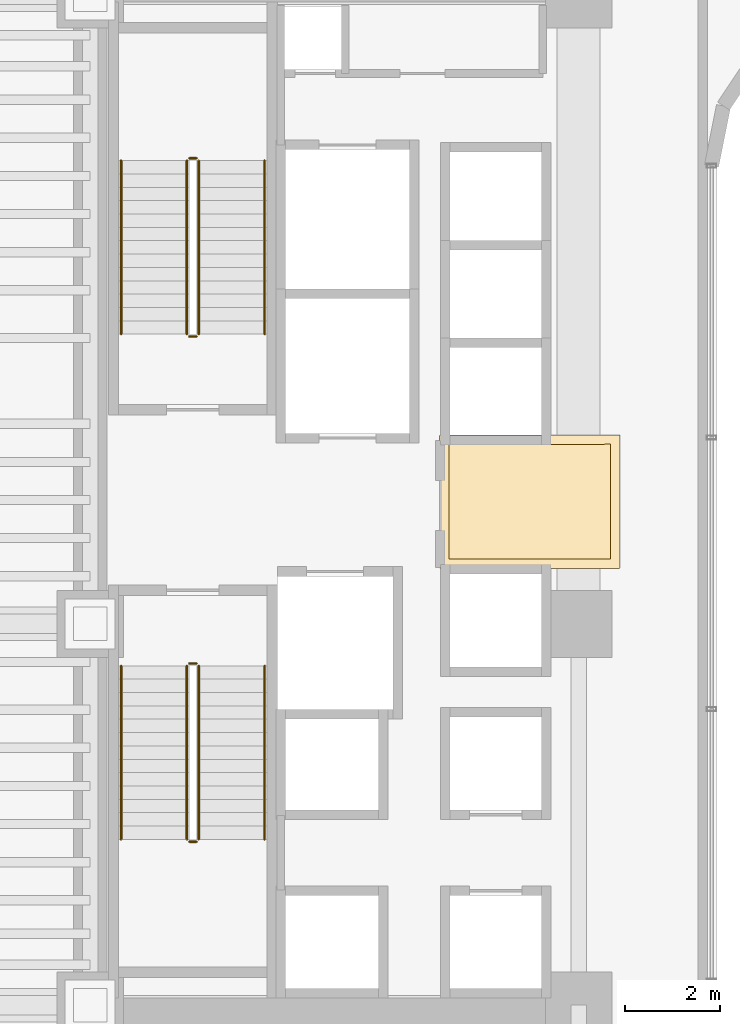
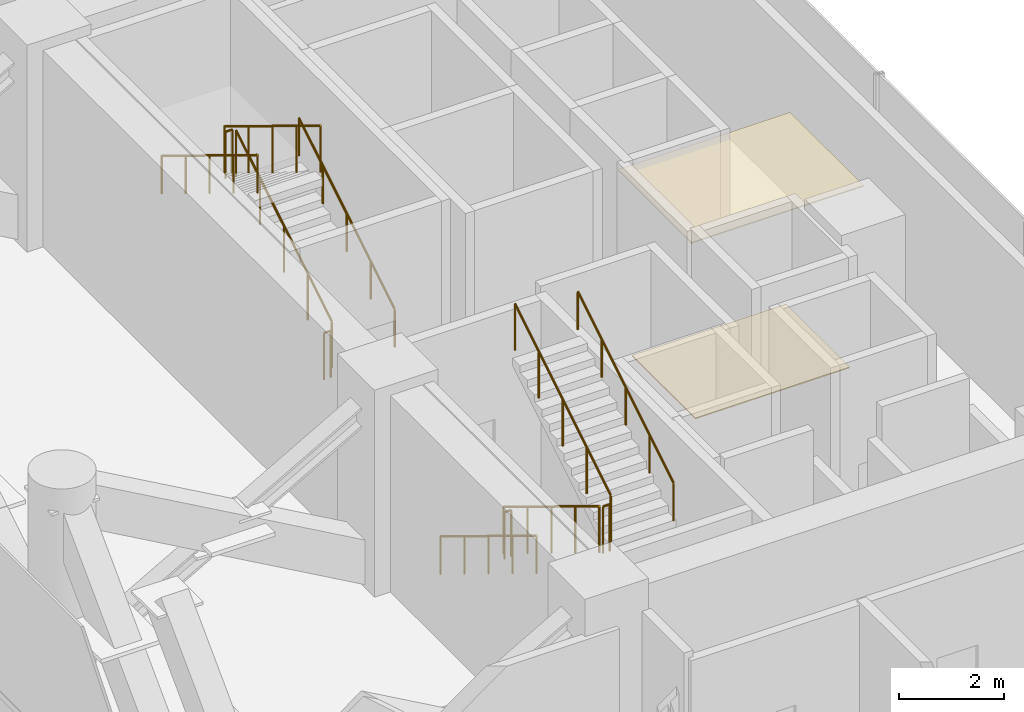
# One storey, part 37 of 39: 12 railings, 2 coverings.
"""IFC4 building model written with IfcOpenShell, lengths in metres."""

import ifcopenshell
import ifcopenshell.guid

model = None  # the IFC model being written
_history = None  # IfcOwnerHistory: only IFC2X3 demands one
_inside = {}  # id of a spatial element -> (the spatial element, [elements in it])
_under = {}  # id of a project, library or spatial element -> (it, [spatial elements below it])
_declared = {}  # id of a project -> (the project, [libraries it declares])
_typed = {}  # id of a type object -> (the type object, [elements of that type])
_made_of = {}  # id of a material, layer set ... -> (it, [elements and type objects made of it])


def new_model(schema):
    """Start an empty IFC model of exactly this schema.

    Asked for "IFC4X3", IfcOpenShell would pick the latest addendum, in which some entities
    have other attributes; the version numbers below select the first issue.
    IFC2X3 requires an IfcOwnerHistory on every rooted entity: one is made here for all.
    """
    global model, _history
    if schema == "IFC4X3":
        model = ifcopenshell.file(schema_version=(4, 3, 0, 0))
    else:
        model = ifcopenshell.file(schema=schema)
    _inside.clear()
    _under.clear()
    _declared.clear()
    _typed.clear()
    _made_of.clear()
    _history = None
    if model.schema == "IFC2X3":
        org = make("IfcOrganization", Name="unknown")
        user = make(
            "IfcPersonAndOrganization",
            ThePerson=make("IfcPerson", FamilyName="unknown"),
            TheOrganization=org,
        )
        app = make(
            "IfcApplication",
            ApplicationDeveloper=org,
            Version="unknown",
            ApplicationFullName="unknown",
            ApplicationIdentifier="unknown",
        )
        _history = make(
            "IfcOwnerHistory",
            OwningUser=user,
            OwningApplication=app,
            ChangeAction="ADDED",
            CreationDate=0,
        )
    return model


def make(cls, **values):
    """One entity of the class cls with the attributes given. An attribute that is None is left unset."""
    return model.create_entity(
        cls, **{name: value for name, value in values.items() if value is not None}
    )


def rooted(cls, **values):
    """An entity with a GlobalId (a new one), such as an element, a storey or a relation."""
    return make(cls, GlobalId=ifcopenshell.guid.new(), OwnerHistory=_history, **values)


def si_unit(unit_type, name, prefix=None):
    """IfcSIUnit, for example si_unit("LENGTHUNIT", "METRE", prefix="MILLI")."""
    return make("IfcSIUnit", UnitType=unit_type, Prefix=prefix, Name=name)


def assignment(units):
    """IfcUnitAssignment: the units of a project."""
    return None if units is None else make("IfcUnitAssignment", Units=units)


def point(xyz):
    """IfcCartesianPoint."""
    return None if xyz is None else make("IfcCartesianPoint", Coordinates=xyz)


def direction(xyz):
    """IfcDirection."""
    return None if xyz is None else make("IfcDirection", DirectionRatios=xyz)


def frame(location, z_axis=None, x_axis=None):
    """IfcAxis2Placement3D, a coordinate frame: its origin and axes. An axis left out is left unset."""
    return make(
        "IfcAxis2Placement3D",
        Location=point(location),
        Axis=direction(z_axis),
        RefDirection=direction(x_axis),
    )


def frame_2d(location, x_axis=None):
    """IfcAxis2Placement2D, a coordinate frame in the plane: its origin and x axis."""
    return make(
        "IfcAxis2Placement2D", Location=point(location), RefDirection=direction(x_axis)
    )


def origin():
    """The frame at (0, 0, 0) with its axes left unset."""
    return frame((0.0, 0.0, 0.0))


def origin_2d():
    """The frame at (0, 0) in the plane with its x axis left unset."""
    return frame_2d((0.0, 0.0))


def place(relative_to, where):
    """IfcLocalPlacement: puts the frame where relative to a parent placement (None: the world)."""
    return make(
        "IfcLocalPlacement", PlacementRelTo=relative_to, RelativePlacement=where
    )


def context(
    kind, dimensions, precision=None, world=None, true_north=None, identifier=None
):
    """IfcGeometricRepresentationContext, for example the 3D "Model" context."""
    return make(
        "IfcGeometricRepresentationContext",
        ContextIdentifier=identifier,
        ContextType=kind,
        CoordinateSpaceDimension=dimensions,
        Precision=precision,
        WorldCoordinateSystem=world,
        TrueNorth=true_north,
    )


def subcontext(parent, identifier, kind, view, scale=None):
    """IfcGeometricRepresentationSubContext, for example "Body" below "Model"."""
    return make(
        "IfcGeometricRepresentationSubContext",
        ContextIdentifier=identifier,
        ContextType=kind,
        ParentContext=parent,
        TargetScale=scale,
        TargetView=view,
    )


def project(units=None, contexts=None):
    """IfcProject with its units and contexts."""
    return rooted(
        "IfcProject",
        Name="project",
        RepresentationContexts=contexts,
        UnitsInContext=assignment(units),
    )


def spatial(cls, under=None, at=None, **own):
    """A site, building, storey or space (cls), placed at a placement, below another one or the project."""
    s = rooted(cls, ObjectPlacement=at, **own)
    if under is not None:
        _under.setdefault(under.id(), (under, []))[1].append(s)
    return s


def polyline(points):
    """IfcPolyline through the points."""
    return make("IfcPolyline", Points=[point(p) for p in points])


def profile(cls, at=None, kind="AREA", **sizes):
    """A parametric profile (cls). Its sizes go by their IFC names, for example OverallWidth=200.0."""
    return make(cls, ProfileType=kind, Position=at, **sizes)


def circle(**sizes):
    """IfcCircleProfileDef."""
    return profile("IfcCircleProfileDef", **sizes)


def outline(outer, holes=None, kind="AREA"):
    """IfcArbitraryClosedProfileDef: a profile drawn as a closed curve; with holes, ...WithVoids."""
    if holes is None:
        return make("IfcArbitraryClosedProfileDef", ProfileType=kind, OuterCurve=outer)
    return make(
        "IfcArbitraryProfileDefWithVoids",
        ProfileType=kind,
        OuterCurve=outer,
        InnerCurves=holes,
    )


def extrude(swept, where, along, depth):
    """IfcExtrudedAreaSolid: the profile swept, set in the frame where, extruded along a direction by depth."""
    return make(
        "IfcExtrudedAreaSolid",
        SweptArea=swept,
        Position=where,
        ExtrudedDirection=direction(along),
        Depth=depth,
    )


def shape(context_of_items, identifier, shape_type, items):
    """IfcShapeRepresentation: the items that make up one representation, for example the "Body"."""
    return make(
        "IfcShapeRepresentation",
        ContextOfItems=context_of_items,
        RepresentationIdentifier=identifier,
        RepresentationType=shape_type,
        Items=items,
    )


def material(Name=None, Category=None):
    """IfcMaterial."""
    return make("IfcMaterial", Name=Name, Category=Category)


def layer(
    of_material, thickness, ventilated=None, Name=None, Category=None, Priority=None
):
    """IfcMaterialLayer: one layer of a wall or slab, of a material (None: an air gap)."""
    return make(
        "IfcMaterialLayer",
        Material=of_material,
        LayerThickness=thickness,
        IsVentilated=ventilated,
        Name=Name,
        Category=Category,
        Priority=Priority,
    )


def layer_set(layers, Name=None):
    """IfcMaterialLayerSet."""
    return make("IfcMaterialLayerSet", MaterialLayers=layers, LayerSetName=Name)


def made_of(thing, what):
    """Note that an element or type object is made of a material, layer set ...; save() writes the relation."""
    if what is not None:
        _made_of.setdefault(what.id(), (what, []))[1].append(thing)
    return thing


def type_object(cls, material=None, **own):
    """A type object (cls), such as IfcWallType, which elements share."""
    return made_of(rooted(cls, **own), material)


def element(
    cls,
    number,
    at=None,
    inside=None,
    cuts=None,
    type_object=None,
    material=None,
    context=None,
    identifier="Body",
    shape_type=None,
    held_by="IfcProductDefinitionShape",
    body=None,
    shapes=None,
    **own,
):
    """One element of the class cls, such as IfcWall. Its Tag is "e" and its number.

    at: its placement. inside: the storey or other place that contains it. cuts: it is an
    opening in that element (IfcRelVoidsElement). A single representation is given by context,
    identifier, shape_type and body (its items); several are given by shapes. held_by: the class
    of the entity that holds the representations. save() writes the other relations.
    """
    e = rooted(cls, Tag="e%d" % number, ObjectPlacement=at, **own)
    if body is not None:
        shapes = [shape(context, identifier, shape_type, body)]
    if shapes is not None:
        e.Representation = make(held_by, Representations=shapes)
    if inside is not None:
        _inside.setdefault(inside.id(), (inside, []))[1].append(e)
    if cuts is not None:
        rooted(
            "IfcRelVoidsElement", RelatingBuildingElement=cuts, RelatedOpeningElement=e
        )
    if type_object is not None:
        _typed.setdefault(type_object.id(), (type_object, []))[1].append(e)
    return made_of(e, material)


def aggregate(whole, parts):
    """IfcRelAggregates: a whole, such as a stair, and the parts it consists of."""
    return rooted("IfcRelAggregates", RelatingObject=whole, RelatedObjects=parts)


def save(model, path):
    """Write the relations noted so far, then the file.

    IfcRelAggregates (storeys below a building ...), IfcRelContainedInSpatialStructure (elements
    in a storey), IfcRelDefinesByType, IfcRelAssociatesMaterial and IfcRelDeclares: one each for
    every whole, place, type object, material and project.
    """
    for whole, parts in _under.values():
        aggregate(whole, parts)
    for where, things in _inside.values():
        rooted(
            "IfcRelContainedInSpatialStructure",
            RelatedElements=things,
            RelatingStructure=where,
        )
    for kind, things in _typed.values():
        rooted("IfcRelDefinesByType", RelatedObjects=things, RelatingType=kind)
    for what, things in _made_of.values():
        rooted("IfcRelAssociatesMaterial", RelatedObjects=things, RelatingMaterial=what)
    for by, libraries in _declared.values():
        rooted("IfcRelDeclares", RelatingContext=by, RelatedDefinitions=libraries)
    model.write(path)


model = new_model("IFC4")

# Units and contexts
model_context = context("Model", 3, precision=1e-05, world=origin(), true_north=direction((0.0, 1.0)))
body_context = subcontext(model_context, "Body", "Model", "MODEL_VIEW")
ifc_project = project(units=[si_unit("LENGTHUNIT", "METRE"), si_unit("AREAUNIT", "SQUARE_METRE"), si_unit("VOLUMEUNIT", "CUBIC_METRE"), si_unit("PLANEANGLEUNIT", "RADIAN"), si_unit("MASSUNIT", "GRAM", prefix="KILO")], contexts=[model_context])

# Site, building, storey
site_placement = place(None, origin())
site = spatial("IfcSite", under=ifc_project, at=site_placement, CompositionType="ELEMENT")
building_placement = place(site_placement, origin())
building = spatial("IfcBuilding", under=site, at=building_placement, Name="Valdorenza Pilgrim Sanctuary Tower", CompositionType="ELEMENT")
storey_placement = place(building_placement, frame((0.0, 0.0, 96.300048828125)))
storey = spatial("IfcBuildingStorey", under=building, at=storey_placement, Name="L24", CompositionType="ELEMENT", Elevation=96.300048828125)

# Coverings
ifc_material_1 = material(Name="Micro-perforated acoustic mineral ceiling tile", Category="gypsum")
ifc_layer_1 = layer(ifc_material_1, 0.02490234375, Name="Micro-perforated acoustic mineral ceiling tile")
ifc_layer_set_1 = layer_set([ifc_layer_1], Name="Micro-perforated acoustic mineral ceiling tile")
covering_type_1 = type_object("IfcCoveringType", Name="COV-CLG-ACU", PredefinedType="CEILING", material=ifc_layer_set_1)
covering_1_placement = place(storey_placement, frame((0.0, 0.0, 4.260009765625)))
element("IfcCovering", 1, at=covering_1_placement, inside=storey, type_object=covering_type_1, Name="L24 Core A Passenger Lift Lobby Acoustic Ceiling", PredefinedType="CEILING", context=body_context, shape_type="SweptSolid", body=[
    extrude(outline(polyline([(-15.31298828125, 1.244384765625), (-15.31298828125, 1.24462890625), (-15.313720703125, 1.24609375), (-15.314208984375, 1.24755859375), (-15.314697265625, 1.2490234375), (-15.31494140625, 1.25048828125), (-15.31494140625, 1.251953125), (-15.31494140625, 1.35009765625), (-15.31494140625, 1.3515625), (-15.314697265625, 1.352783203125), (-15.314453125, 1.3544921875), (-15.31396484375, 1.355712890625), (-15.313232421875, 1.357177734375), (-15.3125, 1.3583984375), (-15.3115234375, 1.359619140625), (-15.310546875, 1.360595703125), (-15.3095703125, 1.361572265625), (-15.308349609375, 1.362548828125), (-15.30712890625, 1.36328125), (-15.3056640625, 1.364013671875), (-15.304443359375, 1.364501953125), (-15.302978515625, 1.36474609375), (-15.301513671875, 1.364990234375), (-15.300048828125, 1.364990234375), (-15.10205078125, 1.364990234375), (-15.1005859375, 1.364990234375), (-15.09912109375, 1.36474609375), (-15.097412109375, 1.3642578125), (-15.09619140625, 1.36376953125), (-15.0947265625, 1.363037109375), (-15.094482421875, 1.363037109375), (-13.185546875, 1.363037109375), (-13.185302734375, 1.363037109375), (-13.183837890625, 1.36376953125), (-13.1826171875, 1.3642578125), (-13.180908203125, 1.36474609375), (-13.179443359375, 1.364990234375), (-13.177978515625, 1.364990234375), (-11.550048828125, 1.364990234375), (-11.548583984375, 1.364990234375), (-11.547119140625, 1.36474609375), (-11.545654296875, 1.364501953125), (-11.544189453125, 1.364013671875), (-11.54296875, 1.36328125), (-11.541748046875, 1.362548828125), (-11.54052734375, 1.361572265625), (-11.539306640625, 1.360595703125), (-11.538330078125, 1.359619140625), (-11.53759765625, 1.3583984375), (-11.536865234375, 1.357177734375), (-11.5361328125, 1.355712890625), (-11.53564453125, 1.3544921875), (-11.535400390625, 1.352783203125), (-11.53515625, 1.3515625), (-11.534912109375, 1.35009765625), (-11.534912109375, -1.419921875), (-11.53515625, -1.42138671875), (-11.535400390625, -1.4228515625), (-11.53564453125, -1.42431640625), (-11.5361328125, -1.42578125), (-11.536865234375, -1.427001953125), (-11.53759765625, -1.42822265625), (-11.538330078125, -1.429443359375), (-11.539306640625, -1.4306640625), (-11.54052734375, -1.431640625), (-11.541748046875, -1.4326171875), (-11.54296875, -1.43310546875), (-11.544189453125, -1.433837890625), (-11.545654296875, -1.434326171875), (-11.547119140625, -1.434814453125), (-11.548583984375, -1.434814453125), (-11.550048828125, -1.43505859375), (-15.298095703125, -1.43505859375), (-15.299560546875, -1.434814453125), (-15.30078125, -1.434814453125), (-15.302490234375, -1.434326171875), (-15.3037109375, -1.433837890625), (-15.30517578125, -1.43310546875), (-15.306396484375, -1.4326171875), (-15.3076171875, -1.431640625), (-15.30859375, -1.4306640625), (-15.3095703125, -1.429443359375), (-15.310546875, -1.42822265625), (-15.311279296875, -1.427001953125), (-15.31201171875, -1.42578125), (-15.3125, -1.42431640625), (-15.312744140625, -1.4228515625), (-15.31298828125, -1.42138671875), (-15.31298828125, -1.419921875), (-15.31298828125, 1.244384765625)])), origin(), (0.0, 0.0, 1.0), 0.02490234375),
])
ifc_material_2 = material(Name="Honed travertine stone flooring", Category="masonry")
ifc_layer_2 = layer(ifc_material_2, 0.030029296875, Name="Honed travertine stone flooring")
ifc_layer_set_2 = layer_set([ifc_layer_2], Name="Honed travertine stone flooring")
covering_type_2 = type_object("IfcCoveringType", Name="COV-FLR-TRV", PredefinedType="FLOORING", material=ifc_layer_set_2)
covering_2_placement = place(storey_placement, origin())
element("IfcCovering", 2, at=covering_2_placement, inside=storey, type_object=covering_type_2, Name="L24 Core A Passenger Lift Lobby Flooring", PredefinedType="FLOORING", context=body_context, shape_type="SweptSolid", body=[
    extrude(outline(polyline([(-15.117919921875, 1.169189453125), (-15.10888671875, 1.168212890625), (-15.10888671875, 1.168212890625), (-15.10009765625, 1.16796875), (-13.179931640625, 1.16796875), (-13.1796875, 1.16796875), (-11.72998046875, 1.169921875), (-11.72998046875, -1.239990234375), (-15.117919921875, -1.239990234375), (-15.117919921875, 1.169189453125)])), origin(), (0.0, 0.0, 1.0), 0.02490234375),
])

# Railings
ifc_material_3 = material(Name="Stainless steel Grade 316", Category="steel")
railing_type_1 = type_object("IfcRailingType", Name="RLG-GRD-1120", PredefinedType="GUARDRAIL", material=ifc_material_3)
railing_1_placement = place(storey_placement, frame((-20.3701171875, 3.47998046875, 0.17138671875)))
element("IfcRailing", 3, at=railing_1_placement, inside=storey, type_object=railing_type_1, Name="L24 ST-A1 stair guard 1", PredefinedType="GUARDRAIL", context=body_context, shape_type="SweptSolid", body=[
    extrude(circle(Radius=0.02392578125, at=origin_2d()), frame((0.0, 0.0, 1.076171875), z_axis=(0.0, 0.852865859571, 0.52213008492), x_axis=(-1.0, 0.0, 0.0)), (0.0, 0.0, 1.0), 4.26806640625),
    extrude(circle(Radius=0.02099609375, at=origin_2d()), origin(), (0.0, 0.0, 1.0), 1.052001953125),
    extrude(circle(Radius=0.02099609375, at=origin_2d()), frame((0.0, 0.91015625, 0.55712890625)), (0.0, 0.0, 1.0), 1.052001953125),
    extrude(circle(Radius=0.02099609375, at=origin_2d()), frame((0.0, 1.820068359375, 1.1142578125)), (0.0, 0.0, 1.0), 1.052001953125),
    extrude(circle(Radius=0.02099609375, at=origin_2d()), frame((0.0, 2.72998046875, 1.67138671875)), (0.0, 0.0, 1.0), 1.052001953125),
    extrude(circle(Radius=0.02099609375, at=origin_2d()), frame((0.0, 3.64013671875, 2.228515625)), (0.0, 0.0, 1.0), 1.052001953125),
])
railing_2_placement = place(storey_placement, frame((-20.419921875, 7.169921875, 2.39990234375)))
element("IfcRailing", 4, at=railing_2_placement, inside=storey, type_object=railing_type_1, Name="L24 ST-A1 stair guard 2", PredefinedType="GUARDRAIL", context=body_context, shape_type="SweptSolid", body=[
    extrude(circle(Radius=0.02392578125, at=origin_2d()), frame((0.0, 0.0, 1.076171875), z_axis=(-1.0, 0.0, 0.0), x_axis=(0.0, -1.0, 0.0)), (0.0, 0.0, 1.0), 0.150146484375),
    extrude(circle(Radius=0.02099609375, at=origin_2d()), origin(), (0.0, 0.0, 1.0), 1.052001953125),
    extrude(circle(Radius=0.02099609375, at=origin_2d()), frame((-0.150146484375, 0.0, 0.0)), (0.0, 0.0, 1.0), 1.052001953125),
])
railing_3_placement = place(storey_placement, frame((-20.6201171875, 7.1201171875, 2.5712890625)))
element("IfcRailing", 5, at=railing_3_placement, inside=storey, type_object=railing_type_1, Name="L24 ST-A1 stair guard 3", PredefinedType="GUARDRAIL", context=body_context, shape_type="SweptSolid", body=[
    extrude(circle(Radius=0.02392578125, at=origin_2d()), frame((0.0, 0.0, 1.076171875), z_axis=(0.0, -0.852840387347, 0.522171689878), x_axis=(1.0, 0.0, 0.0)), (0.0, 0.0, 1.0), 4.268310546875),
    extrude(circle(Radius=0.02099609375, at=origin_2d()), origin(), (0.0, 0.0, 1.0), 1.052001953125),
    extrude(circle(Radius=0.02099609375, at=origin_2d()), frame((0.0, -0.91015625, 0.55712890625)), (0.0, 0.0, 1.0), 1.052001953125),
    extrude(circle(Radius=0.02099609375, at=origin_2d()), frame((0.0, -1.820068359375, 1.1142578125)), (0.0, 0.0, 1.0), 1.052001953125),
    extrude(circle(Radius=0.02099609375, at=origin_2d()), frame((0.0, -2.72998046875, 1.671630859375)), (0.0, 0.0, 1.0), 1.052001953125),
    extrude(circle(Radius=0.02099609375, at=origin_2d()), frame((0.0, -3.64013671875, 2.228759765625)), (0.0, 0.0, 1.0), 1.052001953125),
])
railing_4_placement = place(storey_placement, frame((-20.419921875, 3.429931640625, 0.0)))
element("IfcRailing", 6, at=railing_4_placement, inside=storey, type_object=railing_type_1, Name="L24 ST-A1 stair guard 4", PredefinedType="GUARDRAIL", context=body_context, shape_type="SweptSolid", body=[
    extrude(circle(Radius=0.02392578125, at=origin_2d()), frame((0.0, 0.0, 1.076171875), z_axis=(-1.0, 0.0, 0.0), x_axis=(0.0, -1.0, 0.0)), (0.0, 0.0, 1.0), 0.150146484375),
    extrude(circle(Radius=0.02099609375, at=origin_2d()), origin(), (0.0, 0.0, 1.0), 1.052001953125),
    extrude(circle(Radius=0.02099609375, at=origin_2d()), frame((-0.150146484375, 0.0, 0.0)), (0.0, 0.0, 1.0), 1.052001953125),
])
railing_5_placement = place(storey_placement, frame((-20.6201171875, -3.47998046875, 0.17138671875)))
element("IfcRailing", 7, at=railing_5_placement, inside=storey, type_object=railing_type_1, Name="L24 ST-A2 stair guard 1", PredefinedType="GUARDRAIL", context=body_context, shape_type="SweptSolid", body=[
    extrude(circle(Radius=0.02392578125, at=origin_2d()), frame((0.0, 0.0, 1.076171875), z_axis=(0.0, -0.852865859571, 0.52213008492), x_axis=(1.0, 0.0, 0.0)), (0.0, 0.0, 1.0), 4.26806640625),
    extrude(circle(Radius=0.02099609375, at=origin_2d()), origin(), (0.0, 0.0, 1.0), 1.052001953125),
    extrude(circle(Radius=0.02099609375, at=origin_2d()), frame((0.0, -0.91015625, 0.55712890625)), (0.0, 0.0, 1.0), 1.052001953125),
    extrude(circle(Radius=0.02099609375, at=origin_2d()), frame((0.0, -1.820068359375, 1.1142578125)), (0.0, 0.0, 1.0), 1.052001953125),
    extrude(circle(Radius=0.02099609375, at=origin_2d()), frame((0.0, -2.72998046875, 1.67138671875)), (0.0, 0.0, 1.0), 1.052001953125),
    extrude(circle(Radius=0.02099609375, at=origin_2d()), frame((0.0, -3.64013671875, 2.228515625)), (0.0, 0.0, 1.0), 1.052001953125),
])
railing_6_placement = place(storey_placement, frame((-20.570068359375, -7.169921875, 2.39990234375)))
element("IfcRailing", 8, at=railing_6_placement, inside=storey, type_object=railing_type_1, Name="L24 ST-A2 stair guard 2", PredefinedType="GUARDRAIL", context=body_context, shape_type="SweptSolid", body=[
    extrude(circle(Radius=0.02392578125, at=origin_2d()), frame((0.0, 0.0, 1.076171875), z_axis=(1.0, 0.0, 0.0), x_axis=(0.0, 1.0, 0.0)), (0.0, 0.0, 1.0), 0.150146484375),
    extrude(circle(Radius=0.02099609375, at=origin_2d()), origin(), (0.0, 0.0, 1.0), 1.052001953125),
    extrude(circle(Radius=0.02099609375, at=origin_2d()), frame((0.150146484375, 0.0, 0.0)), (0.0, 0.0, 1.0), 1.052001953125),
])
railing_7_placement = place(storey_placement, frame((-20.3701171875, -7.1201171875, 2.5712890625)))
element("IfcRailing", 9, at=railing_7_placement, inside=storey, type_object=railing_type_1, Name="L24 ST-A2 stair guard 3", PredefinedType="GUARDRAIL", context=body_context, shape_type="SweptSolid", body=[
    extrude(circle(Radius=0.02392578125, at=origin_2d()), frame((0.0, 0.0, 1.076171875), z_axis=(0.0, 0.852840387347, 0.522171689878), x_axis=(-1.0, 0.0, 0.0)), (0.0, 0.0, 1.0), 4.268310546875),
    extrude(circle(Radius=0.02099609375, at=origin_2d()), origin(), (0.0, 0.0, 1.0), 1.052001953125),
    extrude(circle(Radius=0.02099609375, at=origin_2d()), frame((0.0, 0.91015625, 0.55712890625)), (0.0, 0.0, 1.0), 1.052001953125),
    extrude(circle(Radius=0.02099609375, at=origin_2d()), frame((0.0, 1.820068359375, 1.1142578125)), (0.0, 0.0, 1.0), 1.052001953125),
    extrude(circle(Radius=0.02099609375, at=origin_2d()), frame((0.0, 2.72998046875, 1.671630859375)), (0.0, 0.0, 1.0), 1.052001953125),
    extrude(circle(Radius=0.02099609375, at=origin_2d()), frame((0.0, 3.64013671875, 2.228759765625)), (0.0, 0.0, 1.0), 1.052001953125),
])
railing_8_placement = place(storey_placement, frame((-20.570068359375, -3.429931640625, 0.0)))
element("IfcRailing", 10, at=railing_8_placement, inside=storey, type_object=railing_type_1, Name="L24 ST-A2 stair guard 4", PredefinedType="GUARDRAIL", context=body_context, shape_type="SweptSolid", body=[
    extrude(circle(Radius=0.02392578125, at=origin_2d()), frame((0.0, 0.0, 1.076171875), z_axis=(1.0, 0.0, 0.0), x_axis=(0.0, 1.0, 0.0)), (0.0, 0.0, 1.0), 0.150146484375),
    extrude(circle(Radius=0.02099609375, at=origin_2d()), origin(), (0.0, 0.0, 1.0), 1.052001953125),
    extrude(circle(Radius=0.02099609375, at=origin_2d()), frame((0.150146484375, 0.0, 0.0)), (0.0, 0.0, 1.0), 1.052001953125),
])
ifc_material_4 = material(Name="Brushed stainless steel Grade 316", Category="steel")
railing_type_2 = type_object("IfcRailingType", Name="RLG-HND-920", PredefinedType="HANDRAIL", material=ifc_material_4)
railing_9_placement = place(storey_placement, frame((-18.989990234375, 3.47998046875, 0.17138671875)))
element("IfcRailing", 11, at=railing_9_placement, inside=storey, type_object=railing_type_2, Name="L24 ST-A1 stair handrail 1", PredefinedType="HANDRAIL", context=body_context, shape_type="SweptSolid", body=[
    extrude(circle(Radius=0.02392578125, at=origin_2d()), frame((0.0, 0.0, 0.8759765625), z_axis=(0.0, 0.852865859571, 0.52213008492), x_axis=(-1.0, 0.0, 0.0)), (0.0, 0.0, 1.0), 4.26806640625),
    extrude(circle(Radius=0.02099609375, at=origin_2d()), origin(), (0.0, 0.0, 1.0), 0.851806640625),
    extrude(circle(Radius=0.02099609375, at=origin_2d()), frame((0.0, 0.91015625, 0.55712890625)), (0.0, 0.0, 1.0), 0.851806640625),
    extrude(circle(Radius=0.02099609375, at=origin_2d()), frame((0.0, 1.820068359375, 1.1142578125)), (0.0, 0.0, 1.0), 0.851806640625),
    extrude(circle(Radius=0.02099609375, at=origin_2d()), frame((0.0, 2.72998046875, 1.67138671875)), (0.0, 0.0, 1.0), 0.851806640625),
    extrude(circle(Radius=0.02099609375, at=origin_2d()), frame((0.0, 3.64013671875, 2.228515625)), (0.0, 0.0, 1.0), 0.851806640625),
])
railing_10_placement = place(storey_placement, frame((-22.0, 7.1201171875, 2.5712890625)))
element("IfcRailing", 12, at=railing_10_placement, inside=storey, type_object=railing_type_2, Name="L24 ST-A1 stair handrail 2", PredefinedType="HANDRAIL", context=body_context, shape_type="SweptSolid", body=[
    extrude(circle(Radius=0.02392578125, at=origin_2d()), frame((0.0, 0.0, 0.8759765625), z_axis=(0.0, -0.852840387347, 0.522171689878), x_axis=(1.0, 0.0, 0.0)), (0.0, 0.0, 1.0), 4.268310546875),
    extrude(circle(Radius=0.02099609375, at=origin_2d()), origin(), (0.0, 0.0, 1.0), 0.851806640625),
    extrude(circle(Radius=0.02099609375, at=origin_2d()), frame((0.0, -0.91015625, 0.55712890625)), (0.0, 0.0, 1.0), 0.851806640625),
    extrude(circle(Radius=0.02099609375, at=origin_2d()), frame((0.0, -1.820068359375, 1.1142578125)), (0.0, 0.0, 1.0), 0.851806640625),
    extrude(circle(Radius=0.02099609375, at=origin_2d()), frame((0.0, -2.72998046875, 1.671630859375)), (0.0, 0.0, 1.0), 0.851806640625),
    extrude(circle(Radius=0.02099609375, at=origin_2d()), frame((0.0, -3.64013671875, 2.228759765625)), (0.0, 0.0, 1.0), 0.851806640625),
])
railing_11_placement = place(storey_placement, frame((-22.0, -3.47998046875, 0.17138671875)))
element("IfcRailing", 13, at=railing_11_placement, inside=storey, type_object=railing_type_2, Name="L24 ST-A2 stair handrail 1", PredefinedType="HANDRAIL", context=body_context, shape_type="SweptSolid", body=[
    extrude(circle(Radius=0.02392578125, at=origin_2d()), frame((0.0, 0.0, 0.8759765625), z_axis=(0.0, -0.852865859571, 0.52213008492), x_axis=(1.0, 0.0, 0.0)), (0.0, 0.0, 1.0), 4.26806640625),
    extrude(circle(Radius=0.02099609375, at=origin_2d()), origin(), (0.0, 0.0, 1.0), 0.851806640625),
    extrude(circle(Radius=0.02099609375, at=origin_2d()), frame((0.0, -0.91015625, 0.55712890625)), (0.0, 0.0, 1.0), 0.851806640625),
    extrude(circle(Radius=0.02099609375, at=origin_2d()), frame((0.0, -1.820068359375, 1.1142578125)), (0.0, 0.0, 1.0), 0.851806640625),
    extrude(circle(Radius=0.02099609375, at=origin_2d()), frame((0.0, -2.72998046875, 1.67138671875)), (0.0, 0.0, 1.0), 0.851806640625),
    extrude(circle(Radius=0.02099609375, at=origin_2d()), frame((0.0, -3.64013671875, 2.228515625)), (0.0, 0.0, 1.0), 0.851806640625),
])
railing_12_placement = place(storey_placement, frame((-18.989990234375, -7.1201171875, 2.5712890625)))
element("IfcRailing", 14, at=railing_12_placement, inside=storey, type_object=railing_type_2, Name="L24 ST-A2 stair handrail 2", PredefinedType="HANDRAIL", context=body_context, shape_type="SweptSolid", body=[
    extrude(circle(Radius=0.02392578125, at=origin_2d()), frame((0.0, 0.0, 0.8759765625), z_axis=(0.0, 0.852840387347, 0.522171689878), x_axis=(-1.0, 0.0, 0.0)), (0.0, 0.0, 1.0), 4.268310546875),
    extrude(circle(Radius=0.02099609375, at=origin_2d()), origin(), (0.0, 0.0, 1.0), 0.851806640625),
    extrude(circle(Radius=0.02099609375, at=origin_2d()), frame((0.0, 0.91015625, 0.55712890625)), (0.0, 0.0, 1.0), 0.851806640625),
    extrude(circle(Radius=0.02099609375, at=origin_2d()), frame((0.0, 1.820068359375, 1.1142578125)), (0.0, 0.0, 1.0), 0.851806640625),
    extrude(circle(Radius=0.02099609375, at=origin_2d()), frame((0.0, 2.72998046875, 1.671630859375)), (0.0, 0.0, 1.0), 0.851806640625),
    extrude(circle(Radius=0.02099609375, at=origin_2d()), frame((0.0, 3.64013671875, 2.228759765625)), (0.0, 0.0, 1.0), 0.851806640625),
])

save(model, "model.ifc")
